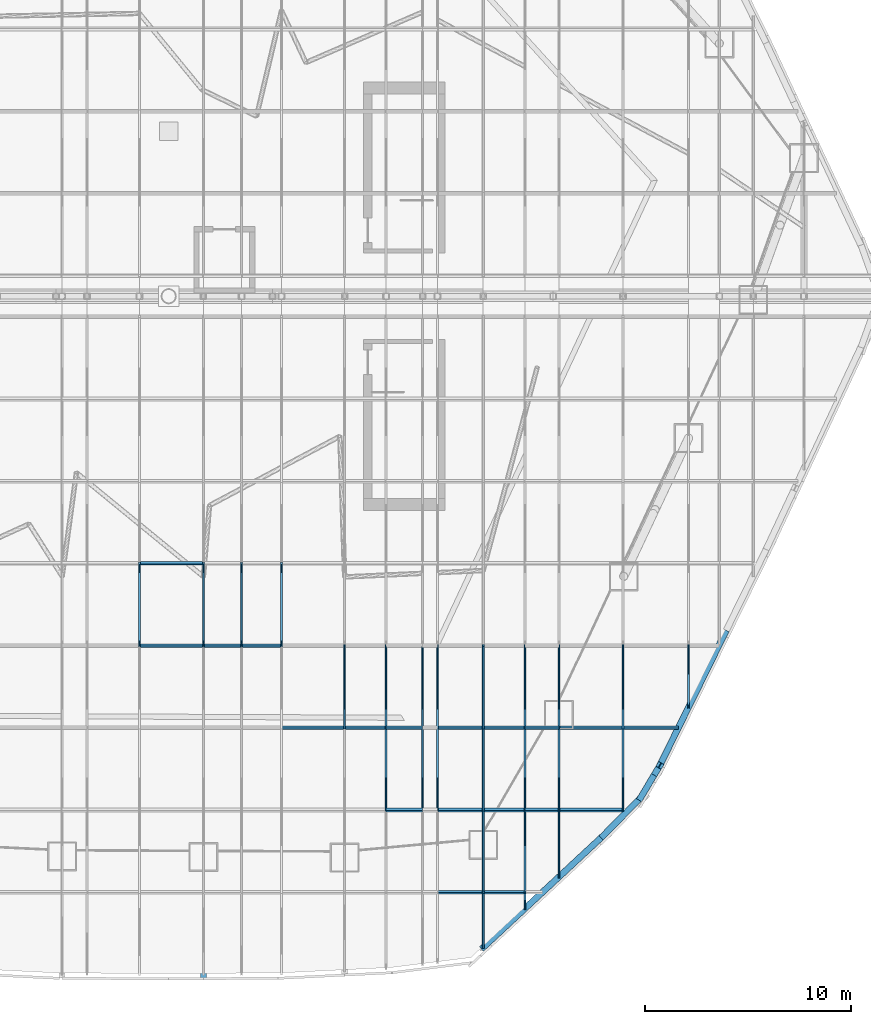
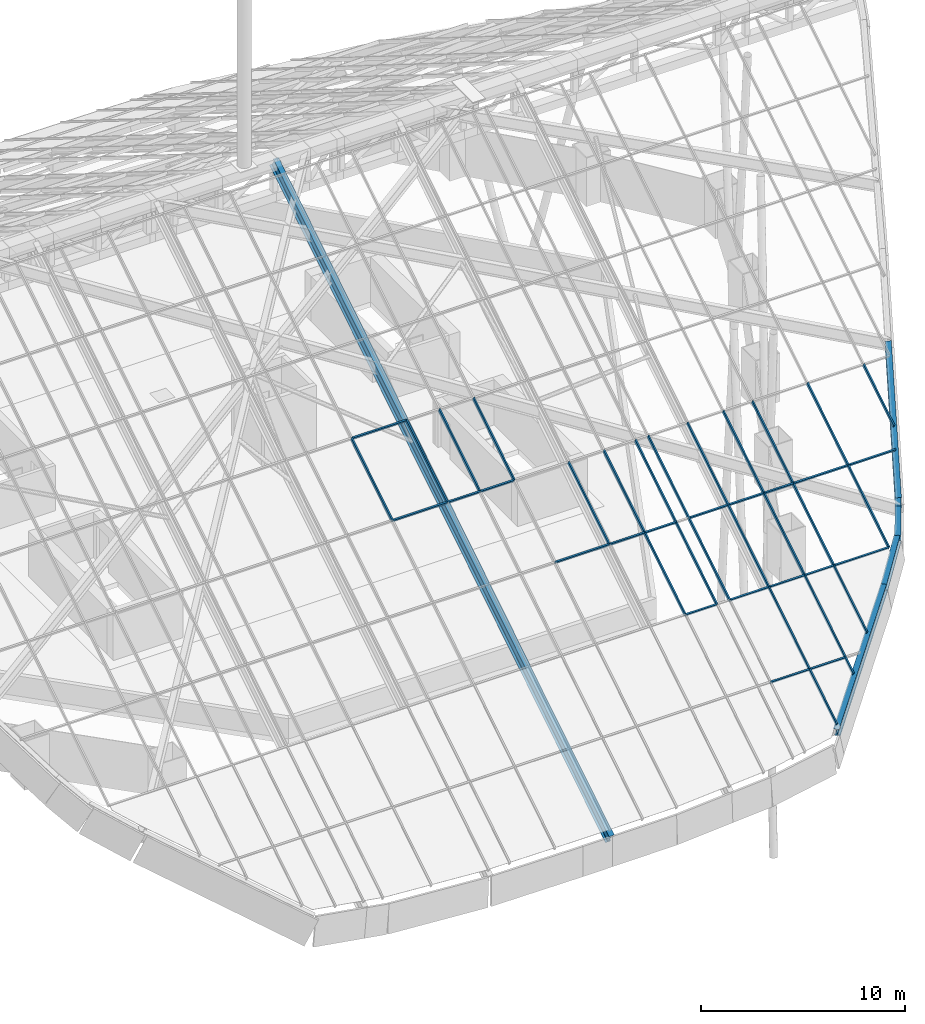
# One storey, part 6 of 38: 50 members, 26 elements without a shape of their own.
"""IFC4 building model written with IfcOpenShell, lengths in metres."""

from ifc_helpers import new_model, si_unit, direction, frame, origin, origin_2d, place, context, subcontext, project, spatial, rectangle, i_section, extrude, material, layer, layer_set, material_profile, profile_set, type_object, element, aggregate, save


model = new_model("IFC4")

# Units and contexts
model_context = context("Model", 3, precision=1e-05, world=origin(), true_north=direction((0.0, 1.0)))
body_context = subcontext(model_context, "Body", "Model", "MODEL_VIEW")
ifc_project = project(units=[si_unit("LENGTHUNIT", "METRE"), si_unit("AREAUNIT", "SQUARE_METRE"), si_unit("VOLUMEUNIT", "CUBIC_METRE"), si_unit("PLANEANGLEUNIT", "RADIAN"), si_unit("MASSUNIT", "GRAM", prefix="KILO")], contexts=[model_context])

# Site, building, storey
site_placement = place(None, origin())
site = spatial("IfcSite", under=ifc_project, at=site_placement, CompositionType="ELEMENT")
building_placement = place(site_placement, origin())
building = spatial("IfcBuilding", under=site, at=building_placement, Name="Dongbaek Canopy Tower", CompositionType="ELEMENT")
storey_placement = place(building_placement, frame((0.0, 0.0, 375.800048828125)))
storey = spatial("IfcBuildingStorey", under=building, at=storey_placement, Name="Roof", CompositionType="ELEMENT", Elevation=375.800048828125)

# Curtain wall, member
ifc_material_1 = material(Name="Aluminium 6063-T6 pale anodised", Category="aluminium")
ifc_layer = layer(ifc_material_1, 0.199951171875)
ifc_layer_set = layer_set([ifc_layer], Name="CW-6 canopy glazing curtain wall")
curtain_wall_type = type_object("IfcCurtainWallType", Name="CW-6 canopy glazing curtain wall", PredefinedType="NOTDEFINED", material=ifc_layer_set)
curtain_wall_1_placement = place(storey_placement, origin())
curtain_wall_1 = element("IfcCurtainWall", 1, at=curtain_wall_1_placement, inside=storey, type_object=curtain_wall_type, Name="CW-6 canopy glazing south 15.4", PredefinedType="NOTDEFINED")
ifc_material_2 = material(Name="Aluminium 6063-T6 pale anodised", Category="aluminium")
ifc_material_profile_1 = material_profile(ifc_material_2, rectangle(XDim=0.080078125, YDim=0.199951171875, at=origin_2d()), Name="CW-6 mullion 80 x 200")
ifc_profile_set_1 = profile_set([ifc_material_profile_1], Name="Aluminium 6063-T6 pale anodised")
member_type_1 = type_object("IfcMemberType", Name="CW-6 mullion 80 x 200", PredefinedType="MULLION", material=ifc_profile_set_1)
member_1_placement = place(storey_placement, frame((-1.41796875, -12.958740234375, 10.626220703125), z_axis=(0.0, -0.848030400431, -0.529947582262), x_axis=(1.0, 0.0, 0.0)))
member_1 = element("IfcMember", 2, at=member_1_placement, type_object=member_type_1, Name="CW-6 mullion S15.4.-1.4", PredefinedType="MULLION", context=body_context, shape_type="SweptSolid", body=[
    extrude(rectangle(XDim=0.080078125, YDim=0.199951171875, at=origin_2d()), origin(), (0.0, 0.0, 1.0), 4.700439453125),
])
aggregate(curtain_wall_1, [member_1])

curtain_wall_2_placement = place(storey_placement, origin())
curtain_wall_2 = element("IfcCurtainWall", 3, at=curtain_wall_2_placement, inside=storey, type_object=curtain_wall_type, Name="CW-6 canopy glazing south 16.4", PredefinedType="NOTDEFINED")
member_2_placement = place(storey_placement, frame((1.68310546875, -12.958740234375, 10.626220703125), z_axis=(0.0, -0.848030400431, -0.529947582262), x_axis=(1.0, 0.0, 0.0)))
member_2 = element("IfcMember", 4, at=member_2_placement, type_object=member_type_1, Name="CW-6 mullion S16.4.1.7", PredefinedType="MULLION", context=body_context, shape_type="SweptSolid", body=[
    extrude(rectangle(XDim=0.080078125, YDim=0.199951171875, at=origin_2d()), origin(), (0.0, 0.0, 1.0), 4.700439453125),
])

curtain_wall_3_placement = place(storey_placement, origin())
curtain_wall_3 = element("IfcCurtainWall", 5, at=curtain_wall_3_placement, inside=storey, type_object=curtain_wall_type, Name="CW-6 canopy glazing south 17.4", PredefinedType="NOTDEFINED")
member_3_placement = place(storey_placement, frame((3.535400390625, -12.958740234375, 10.626220703125), z_axis=(0.0, -0.848030400431, -0.529947582262), x_axis=(1.0, 0.0, 0.0)))
member_3 = element("IfcMember", 6, at=member_3_placement, type_object=member_type_1, Name="CW-6 mullion S17.4.3.5", PredefinedType="MULLION", context=body_context, shape_type="SweptSolid", body=[
    extrude(rectangle(XDim=0.080078125, YDim=0.199951171875, at=origin_2d()), origin(), (0.0, 0.0, 1.0), 4.700439453125),
])

curtain_wall_4_placement = place(storey_placement, origin())
curtain_wall_4 = element("IfcCurtainWall", 7, at=curtain_wall_4_placement, inside=storey, type_object=curtain_wall_type, Name="CW-6 canopy glazing south 18.4", PredefinedType="NOTDEFINED")
member_4_placement = place(storey_placement, frame((5.470947265625, -12.958740234375, 10.626220703125), z_axis=(0.0, -0.848030400431, -0.529947582262), x_axis=(1.0, 0.0, 0.0)))
member_4 = element("IfcMember", 8, at=member_4_placement, type_object=member_type_1, Name="CW-6 mullion S18.4.5.5", PredefinedType="MULLION", context=body_context, shape_type="SweptSolid", body=[
    extrude(rectangle(XDim=0.080078125, YDim=0.199951171875, at=origin_2d()), origin(), (0.0, 0.0, 1.0), 4.700439453125),
])

curtain_wall_5_placement = place(storey_placement, origin())
curtain_wall_5 = element("IfcCurtainWall", 9, at=curtain_wall_5_placement, inside=storey, type_object=curtain_wall_type, Name="CW-6 canopy glazing south 19.5", PredefinedType="NOTDEFINED")
member_5_placement = place(storey_placement, frame((8.533935546875, -16.94482421875, 8.13525390625), z_axis=(0.0, -0.848068327403, -0.529886886095), x_axis=(1.0, 0.0, 0.0)))
member_5 = element("IfcMember", 10, at=member_5_placement, type_object=member_type_1, Name="CW-6 mullion S19.5.8.5", PredefinedType="MULLION", context=body_context, shape_type="SweptSolid", body=[
    extrude(rectangle(XDim=0.080078125, YDim=0.199951171875, at=origin_2d()), origin(), (0.0, 0.0, 1.0), 4.700439453125),
])

curtain_wall_6_placement = place(storey_placement, origin())
curtain_wall_6 = element("IfcCurtainWall", 11, at=curtain_wall_6_placement, inside=storey, type_object=curtain_wall_type, Name="CW-6 canopy glazing south 20.5", PredefinedType="NOTDEFINED")
member_6_placement = place(storey_placement, frame((10.535400390625, -16.94482421875, 8.13525390625), z_axis=(0.0, -0.848068327403, -0.529886886095), x_axis=(1.0, 0.0, 0.0)))
member_6 = element("IfcMember", 12, at=member_6_placement, type_object=member_type_1, Name="CW-6 mullion S20.5.10.5", PredefinedType="MULLION", context=body_context, shape_type="SweptSolid", body=[
    extrude(rectangle(XDim=0.080078125, YDim=0.199951171875, at=origin_2d()), origin(), (0.0, 0.0, 1.0), 4.700439453125),
])

curtain_wall_7_placement = place(storey_placement, origin())
curtain_wall_7 = element("IfcCurtainWall", 13, at=curtain_wall_7_placement, inside=storey, type_object=curtain_wall_type, Name="CW-6 canopy glazing south 20.6", PredefinedType="NOTDEFINED")
member_7_placement = place(storey_placement, frame((10.535400390625, -20.93115234375, 5.64453125), z_axis=(0.0, -0.848030400431, -0.529947582262), x_axis=(1.0, 0.0, 0.0)))
member_7 = element("IfcMember", 14, at=member_7_placement, type_object=member_type_1, Name="CW-6 mullion S20.6.10.5", PredefinedType="MULLION", context=body_context, shape_type="SweptSolid", body=[
    extrude(rectangle(XDim=0.080078125, YDim=0.199951171875, at=origin_2d()), origin(), (0.0, 0.0, 1.0), 4.700439453125),
])
aggregate(curtain_wall_7, [member_7])

curtain_wall_8_placement = place(storey_placement, origin())
curtain_wall_8 = element("IfcCurtainWall", 15, at=curtain_wall_8_placement, inside=storey, type_object=curtain_wall_type, Name="CW-6 canopy glazing south 21.5", PredefinedType="NOTDEFINED")
member_8_placement = place(storey_placement, frame((12.31396484375, -16.94482421875, 8.13525390625), z_axis=(0.0, -0.848068327403, -0.529886886095), x_axis=(1.0, 0.0, 0.0)))
member_8 = element("IfcMember", 16, at=member_8_placement, type_object=member_type_1, Name="CW-6 mullion S21.5.12.3", PredefinedType="MULLION", context=body_context, shape_type="SweptSolid", body=[
    extrude(rectangle(XDim=0.080078125, YDim=0.199951171875, at=origin_2d()), origin(), (0.0, 0.0, 1.0), 4.700439453125),
])

curtain_wall_9_placement = place(storey_placement, origin())
curtain_wall_9 = element("IfcCurtainWall", 17, at=curtain_wall_9_placement, inside=storey, type_object=curtain_wall_type, Name="CW-6 canopy glazing south 21.6", PredefinedType="NOTDEFINED")
member_9_placement = place(storey_placement, frame((12.31396484375, -20.93115234375, 5.64453125), z_axis=(0.0, -0.848030400431, -0.529947582262), x_axis=(1.0, 0.0, 0.0)))
member_9 = element("IfcMember", 18, at=member_9_placement, type_object=member_type_1, Name="CW-6 mullion S21.6.12.3", PredefinedType="MULLION", context=body_context, shape_type="SweptSolid", body=[
    extrude(rectangle(XDim=0.080078125, YDim=0.199951171875, at=origin_2d()), origin(), (0.0, 0.0, 1.0), 4.700439453125),
])

curtain_wall_10_placement = place(storey_placement, origin())
curtain_wall_10 = element("IfcCurtainWall", 19, at=curtain_wall_10_placement, inside=storey, type_object=curtain_wall_type, Name="CW-6 canopy glazing south 22.5", PredefinedType="NOTDEFINED")
member_10_placement = place(storey_placement, frame((13.035400390625, -16.94482421875, 8.13525390625), z_axis=(0.0, -0.848068327403, -0.529886886095), x_axis=(1.0, 0.0, 0.0)))
member_10 = element("IfcMember", 20, at=member_10_placement, type_object=member_type_1, Name="CW-6 mullion S22.5.13.0", PredefinedType="MULLION", context=body_context, shape_type="SweptSolid", body=[
    extrude(rectangle(XDim=0.080078125, YDim=0.199951171875, at=origin_2d()), origin(), (0.0, 0.0, 1.0), 4.700439453125),
])
aggregate(curtain_wall_10, [member_10])

curtain_wall_11_placement = place(storey_placement, origin())
curtain_wall_11 = element("IfcCurtainWall", 21, at=curtain_wall_11_placement, inside=storey, type_object=curtain_wall_type, Name="CW-6 canopy glazing south 22.6", PredefinedType="NOTDEFINED")
member_11_placement = place(storey_placement, frame((13.035400390625, -20.93115234375, 5.64453125), z_axis=(0.0, -0.848030400431, -0.529947582262), x_axis=(1.0, 0.0, 0.0)))
member_11 = element("IfcMember", 22, at=member_11_placement, type_object=member_type_1, Name="CW-6 mullion S22.6.13.0", PredefinedType="MULLION", context=body_context, shape_type="SweptSolid", body=[
    extrude(rectangle(XDim=0.080078125, YDim=0.199951171875, at=origin_2d()), origin(), (0.0, 0.0, 1.0), 4.700439453125),
])
aggregate(curtain_wall_11, [member_11])

curtain_wall_12_placement = place(storey_placement, origin())
curtain_wall_12 = element("IfcCurtainWall", 23, at=curtain_wall_12_placement, inside=storey, type_object=curtain_wall_type, Name="CW-6 canopy glazing south 23.5", PredefinedType="NOTDEFINED")
member_12_placement = place(storey_placement, frame((15.251953125, -16.94482421875, 8.13525390625), z_axis=(0.0, -0.848068327403, -0.529886886095), x_axis=(1.0, 0.0, 0.0)))
member_12 = element("IfcMember", 24, at=member_12_placement, type_object=member_type_1, Name="CW-6 mullion S23.5.15.3", PredefinedType="MULLION", context=body_context, shape_type="SweptSolid", body=[
    extrude(rectangle(XDim=0.080078125, YDim=0.199951171875, at=origin_2d()), origin(), (0.0, 0.0, 1.0), 4.700439453125),
])

curtain_wall_13_placement = place(storey_placement, origin())
curtain_wall_13 = element("IfcCurtainWall", 25, at=curtain_wall_13_placement, inside=storey, type_object=curtain_wall_type, Name="CW-6 canopy glazing south 23.6", PredefinedType="NOTDEFINED")
member_13_placement = place(storey_placement, frame((15.251953125, -20.93115234375, 5.64453125), z_axis=(0.0, -0.848030400431, -0.529947582262), x_axis=(1.0, 0.0, 0.0)))
member_13 = element("IfcMember", 26, at=member_13_placement, type_object=member_type_1, Name="CW-6 mullion S23.6.15.3", PredefinedType="MULLION", context=body_context, shape_type="SweptSolid", body=[
    extrude(rectangle(XDim=0.080078125, YDim=0.199951171875, at=origin_2d()), origin(), (0.0, 0.0, 1.0), 4.700439453125),
])

curtain_wall_14_placement = place(storey_placement, origin())
curtain_wall_14 = element("IfcCurtainWall", 27, at=curtain_wall_14_placement, inside=storey, type_object=curtain_wall_type, Name="CW-6 canopy glazing south 23.7", PredefinedType="NOTDEFINED")
member_14_placement = place(storey_placement, frame((15.251953125, -24.917236328125, 3.153564453125), z_axis=(0.0, -0.848068327403, -0.529886886095), x_axis=(1.0, 0.0, 0.0)))
member_14 = element("IfcMember", 28, at=member_14_placement, type_object=member_type_1, Name="CW-6 mullion S23.7.15.3", PredefinedType="MULLION", context=body_context, shape_type="SweptSolid", body=[
    extrude(rectangle(XDim=0.080078125, YDim=0.199951171875, at=origin_2d()), origin(), (0.0, 0.0, 1.0), 4.700439453125),
])

curtain_wall_15_placement = place(storey_placement, origin())
curtain_wall_15 = element("IfcCurtainWall", 29, at=curtain_wall_15_placement, inside=storey, type_object=curtain_wall_type, Name="CW-6 canopy glazing south 23.8", PredefinedType="NOTDEFINED")
member_15_placement = place(storey_placement, frame((15.251953125, -28.903564453125, 0.662841796875), z_axis=(0.0, -0.84803746353, -0.529936279612), x_axis=(1.0, 0.0, 0.0)))
member_15 = element("IfcMember", 30, at=member_15_placement, type_object=member_type_1, Name="CW-6 mullion S23.8.15.3", PredefinedType="MULLION", context=body_context, shape_type="SweptSolid", body=[
    extrude(rectangle(XDim=0.080078125, YDim=0.199951171875, at=origin_2d()), origin(), (0.0, 0.0, 1.0), 3.152099609375),
])
aggregate(curtain_wall_15, [member_15])

curtain_wall_16_placement = place(storey_placement, origin())
curtain_wall_16 = element("IfcCurtainWall", 31, at=curtain_wall_16_placement, inside=storey, type_object=curtain_wall_type, Name="CW-6 canopy glazing south 24.5", PredefinedType="NOTDEFINED")
member_16_placement = place(storey_placement, frame((17.27587890625, -16.94482421875, 8.13525390625), z_axis=(0.0, -0.848068327403, -0.529886886095), x_axis=(1.0, 0.0, 0.0)))
member_16 = element("IfcMember", 32, at=member_16_placement, type_object=member_type_1, Name="CW-6 mullion S24.5.17.3", PredefinedType="MULLION", context=body_context, shape_type="SweptSolid", body=[
    extrude(rectangle(XDim=0.080078125, YDim=0.199951171875, at=origin_2d()), origin(), (0.0, 0.0, 1.0), 4.700439453125),
])

curtain_wall_17_placement = place(storey_placement, origin())
curtain_wall_17 = element("IfcCurtainWall", 33, at=curtain_wall_17_placement, inside=storey, type_object=curtain_wall_type, Name="CW-6 canopy glazing south 24.6", PredefinedType="NOTDEFINED")
member_17_placement = place(storey_placement, frame((17.27587890625, -20.93115234375, 5.64453125), z_axis=(0.0, -0.848030400431, -0.529947582262), x_axis=(1.0, 0.0, 0.0)))
member_17 = element("IfcMember", 34, at=member_17_placement, type_object=member_type_1, Name="CW-6 mullion S24.6.17.3", PredefinedType="MULLION", context=body_context, shape_type="SweptSolid", body=[
    extrude(rectangle(XDim=0.080078125, YDim=0.199951171875, at=origin_2d()), origin(), (0.0, 0.0, 1.0), 4.700439453125),
])

curtain_wall_18_placement = place(storey_placement, origin())
curtain_wall_18 = element("IfcCurtainWall", 35, at=curtain_wall_18_placement, inside=storey, type_object=curtain_wall_type, Name="CW-6 canopy glazing south 24.7", PredefinedType="NOTDEFINED")
member_18_placement = place(storey_placement, frame((17.27587890625, -24.917236328125, 3.153564453125), z_axis=(0.0, -0.848068327403, -0.529886886095), x_axis=(1.0, 0.0, 0.0)))
member_18 = element("IfcMember", 36, at=member_18_placement, type_object=member_type_1, Name="CW-6 mullion S24.7.17.3", PredefinedType="MULLION", context=body_context, shape_type="SweptSolid", body=[
    extrude(rectangle(XDim=0.080078125, YDim=0.199951171875, at=origin_2d()), origin(), (0.0, 0.0, 1.0), 4.700439453125),
])

curtain_wall_19_placement = place(storey_placement, origin())
curtain_wall_19 = element("IfcCurtainWall", 37, at=curtain_wall_19_placement, inside=storey, type_object=curtain_wall_type, Name="CW-6 canopy glazing south 24.8", PredefinedType="NOTDEFINED")
member_19_placement = place(storey_placement, frame((17.27587890625, -28.903564453125, 0.662841796875), z_axis=(0.0, -0.847924760458, -0.530116591518), x_axis=(1.0, 0.0, 0.0)))
member_19 = element("IfcMember", 38, at=member_19_placement, type_object=member_type_1, Name="CW-6 mullion S24.8.17.3", PredefinedType="MULLION", context=body_context, shape_type="SweptSolid", body=[
    extrude(rectangle(XDim=0.080078125, YDim=0.199951171875, at=origin_2d()), origin(), (0.0, 0.0, 1.0), 0.9326171875),
])
aggregate(curtain_wall_19, [member_19])

curtain_wall_20_placement = place(storey_placement, origin())
curtain_wall_20 = element("IfcCurtainWall", 39, at=curtain_wall_20_placement, inside=storey, type_object=curtain_wall_type, Name="CW-6 canopy glazing south 25.5", PredefinedType="NOTDEFINED")
member_20_placement = place(storey_placement, frame((18.925048828125, -16.94482421875, 8.13525390625), z_axis=(0.0, -0.848068327403, -0.529886886095), x_axis=(1.0, 0.0, 0.0)))
member_20 = element("IfcMember", 40, at=member_20_placement, type_object=member_type_1, Name="CW-6 mullion S25.5.18.9", PredefinedType="MULLION", context=body_context, shape_type="SweptSolid", body=[
    extrude(rectangle(XDim=0.080078125, YDim=0.199951171875, at=origin_2d()), origin(), (0.0, 0.0, 1.0), 4.700439453125),
])

curtain_wall_21_placement = place(storey_placement, origin())
curtain_wall_21 = element("IfcCurtainWall", 41, at=curtain_wall_21_placement, inside=storey, type_object=curtain_wall_type, Name="CW-6 canopy glazing south 25.6", PredefinedType="NOTDEFINED")
member_21_placement = place(storey_placement, frame((18.925048828125, -20.93115234375, 5.64453125), z_axis=(0.0, -0.848030400431, -0.529947582262), x_axis=(1.0, 0.0, 0.0)))
member_21 = element("IfcMember", 42, at=member_21_placement, type_object=member_type_1, Name="CW-6 mullion S25.6.18.9", PredefinedType="MULLION", context=body_context, shape_type="SweptSolid", body=[
    extrude(rectangle(XDim=0.080078125, YDim=0.199951171875, at=origin_2d()), origin(), (0.0, 0.0, 1.0), 4.700439453125),
])

curtain_wall_22_placement = place(storey_placement, origin())
curtain_wall_22 = element("IfcCurtainWall", 43, at=curtain_wall_22_placement, inside=storey, type_object=curtain_wall_type, Name="CW-6 canopy glazing south 25.7", PredefinedType="NOTDEFINED")
member_22_placement = place(storey_placement, frame((18.925048828125, -24.917236328125, 3.153564453125), z_axis=(0.0, -0.848048503756, -0.529918611936), x_axis=(1.0, 0.0, 0.0)))
member_22 = element("IfcMember", 44, at=member_22_placement, type_object=member_type_1, Name="CW-6 mullion S25.7.18.9", PredefinedType="MULLION", context=body_context, shape_type="SweptSolid", body=[
    extrude(rectangle(XDim=0.080078125, YDim=0.199951171875, at=origin_2d()), origin(), (0.0, 0.0, 1.0), 3.824951171875),
])
aggregate(curtain_wall_22, [member_22])

curtain_wall_23_placement = place(storey_placement, origin())
curtain_wall_23 = element("IfcCurtainWall", 45, at=curtain_wall_23_placement, inside=storey, type_object=curtain_wall_type, Name="CW-6 canopy glazing south 26.5", PredefinedType="NOTDEFINED")
member_23_placement = place(storey_placement, frame((22.035400390625, -16.94482421875, 8.13525390625), z_axis=(0.0, -0.848068327403, -0.529886886095), x_axis=(1.0, 0.0, 0.0)))
member_23 = element("IfcMember", 46, at=member_23_placement, type_object=member_type_1, Name="CW-6 mullion S26.5.22.0", PredefinedType="MULLION", context=body_context, shape_type="SweptSolid", body=[
    extrude(rectangle(XDim=0.080078125, YDim=0.199951171875, at=origin_2d()), origin(), (0.0, 0.0, 1.0), 4.700439453125),
])

curtain_wall_24_placement = place(storey_placement, origin())
curtain_wall_24 = element("IfcCurtainWall", 47, at=curtain_wall_24_placement, inside=storey, type_object=curtain_wall_type, Name="CW-6 canopy glazing south 26.6", PredefinedType="NOTDEFINED")
member_24_placement = place(storey_placement, frame((22.035400390625, -20.93115234375, 5.64453125), z_axis=(0.0, -0.848030400431, -0.529947582262), x_axis=(1.0, 0.0, 0.0)))
member_24 = element("IfcMember", 48, at=member_24_placement, type_object=member_type_1, Name="CW-6 mullion S26.6.22.0", PredefinedType="MULLION", context=body_context, shape_type="SweptSolid", body=[
    extrude(rectangle(XDim=0.080078125, YDim=0.199951171875, at=origin_2d()), origin(), (0.0, 0.0, 1.0), 4.700439453125),
])

curtain_wall_25_placement = place(storey_placement, origin())
curtain_wall_25 = element("IfcCurtainWall", 49, at=curtain_wall_25_placement, inside=storey, type_object=curtain_wall_type, Name="CW-6 canopy glazing south 27.5", PredefinedType="NOTDEFINED")
member_25_placement = place(storey_placement, frame((25.2099609375, -16.94482421875, 8.13525390625), z_axis=(0.0, -0.848072405074, -0.529880359847), x_axis=(1.0, 0.0, 0.0)))
member_25 = element("IfcMember", 50, at=member_25_placement, type_object=member_type_1, Name="CW-6 mullion S27.5.25.2", PredefinedType="MULLION", context=body_context, shape_type="SweptSolid", body=[
    extrude(rectangle(XDim=0.080078125, YDim=0.199951171875, at=origin_2d()), origin(), (0.0, 0.0, 1.0), 3.516357421875),
])

curtain_wall_26_placement = place(storey_placement, origin())
curtain_wall_26 = element("IfcCurtainWall", 51, at=curtain_wall_26_placement, inside=storey, type_object=curtain_wall_type, Name="CW-6 canopy glazing south 16.3", PredefinedType="NOTDEFINED")
ifc_material_3 = material(Name="Aluminium 6063-T6 pale anodised", Category="aluminium")
ifc_material_profile_2 = material_profile(ifc_material_3, rectangle(XDim=0.080078125, YDim=0.199951171875, at=origin_2d()), Name="CW-6 transom 80 x 200")
ifc_profile_set_2 = profile_set([ifc_material_profile_2], Name="Aluminium 6063-T6 pale anodised")
member_type_2 = type_object("IfcMemberType", Name="CW-6 transom 80 x 200", PredefinedType="USERDEFINED", material=ifc_profile_set_2)
member_26_placement = place(storey_placement, frame((-1.41796875, -12.958740234375, 10.626220703125), z_axis=(1.0, 0.0, 0.0), x_axis=(0.0, 0.848048096156, 0.529919264233)))
member_26 = element("IfcMember", 52, at=member_26_placement, type_object=member_type_2, Name="CW-6 transom S16.3.4", ObjectType="TRANSOM", PredefinedType="USERDEFINED", context=body_context, shape_type="SweptSolid", body=[
    extrude(rectangle(XDim=0.080078125, YDim=0.199951171875, at=origin_2d()), origin(), (0.0, 0.0, 1.0), 3.10107421875),
])
aggregate(curtain_wall_26, [member_26])

# Member
member_27_placement = place(storey_placement, frame((-1.41796875, -16.94482421875, 8.13525390625), z_axis=(1.0, 0.0, 0.0), x_axis=(0.0, 0.848048096156, 0.529919264233)))
member_27 = element("IfcMember", 53, at=member_27_placement, type_object=member_type_2, Name="CW-6 transom S16.4.5", ObjectType="TRANSOM", PredefinedType="USERDEFINED", context=body_context, shape_type="SweptSolid", body=[
    extrude(rectangle(XDim=0.080078125, YDim=0.199951171875, at=origin_2d()), origin(), (0.0, 0.0, 1.0), 3.10107421875),
])

aggregate(curtain_wall_2, [member_2, member_27])

member_28_placement = place(storey_placement, frame((1.68310546875, -16.94482421875, 8.13525390625), z_axis=(1.0, 0.0, 0.0), x_axis=(0.0, 0.848048096156, 0.529919264233)))
member_28 = element("IfcMember", 54, at=member_28_placement, type_object=member_type_2, Name="CW-6 transom S17.4.5", ObjectType="TRANSOM", PredefinedType="USERDEFINED", context=body_context, shape_type="SweptSolid", body=[
    extrude(rectangle(XDim=0.080078125, YDim=0.199951171875, at=origin_2d()), origin(), (0.0, 0.0, 1.0), 1.852294921875),
])

aggregate(curtain_wall_3, [member_3, member_28])

member_29_placement = place(storey_placement, frame((3.535400390625, -16.94482421875, 8.13525390625), z_axis=(1.0, 0.0, 0.0), x_axis=(0.0, 0.848048096156, 0.529919264233)))
member_29 = element("IfcMember", 55, at=member_29_placement, type_object=member_type_2, Name="CW-6 transom S18.4.5", ObjectType="TRANSOM", PredefinedType="USERDEFINED", context=body_context, shape_type="SweptSolid", body=[
    extrude(rectangle(XDim=0.080078125, YDim=0.199951171875, at=origin_2d()), origin(), (0.0, 0.0, 1.0), 1.935546875),
])

aggregate(curtain_wall_4, [member_4, member_29])

member_30_placement = place(storey_placement, frame((5.470947265625, -20.93115234375, 5.64453125), z_axis=(1.0, 0.0, 0.0), x_axis=(0.0, 0.848048096156, 0.529919264233)))
member_30 = element("IfcMember", 56, at=member_30_placement, type_object=member_type_2, Name="CW-6 transom S19.5.6", ObjectType="TRANSOM", PredefinedType="USERDEFINED", context=body_context, shape_type="SweptSolid", body=[
    extrude(rectangle(XDim=0.080078125, YDim=0.199951171875, at=origin_2d()), origin(), (0.0, 0.0, 1.0), 3.06298828125),
])

aggregate(curtain_wall_5, [member_5, member_30])

member_31_placement = place(storey_placement, frame((8.533935546875, -20.93115234375, 5.64453125), z_axis=(1.0, 0.0, 0.0), x_axis=(0.0, 0.848048096156, 0.529919264233)))
member_31 = element("IfcMember", 57, at=member_31_placement, type_object=member_type_2, Name="CW-6 transom S20.5.6", ObjectType="TRANSOM", PredefinedType="USERDEFINED", context=body_context, shape_type="SweptSolid", body=[
    extrude(rectangle(XDim=0.080078125, YDim=0.199951171875, at=origin_2d()), origin(), (0.0, 0.0, 1.0), 2.00146484375),
])

aggregate(curtain_wall_6, [member_6, member_31])

member_32_placement = place(storey_placement, frame((10.535400390625, -20.93115234375, 5.64453125), z_axis=(1.0, 0.0, 0.0), x_axis=(0.0, 0.848048096156, 0.529919264233)))
member_32 = element("IfcMember", 58, at=member_32_placement, type_object=member_type_2, Name="CW-6 transom S21.5.6", ObjectType="TRANSOM", PredefinedType="USERDEFINED", context=body_context, shape_type="SweptSolid", body=[
    extrude(rectangle(XDim=0.080078125, YDim=0.199951171875, at=origin_2d()), origin(), (0.0, 0.0, 1.0), 1.778564453125),
])

aggregate(curtain_wall_8, [member_8, member_32])

member_33_placement = place(storey_placement, frame((10.535400390625, -24.917236328125, 3.153564453125), z_axis=(1.0, 0.0, 0.0), x_axis=(0.0, 0.848048096156, 0.529919264233)))
member_33 = element("IfcMember", 59, at=member_33_placement, type_object=member_type_2, Name="CW-6 transom S21.6.7", ObjectType="TRANSOM", PredefinedType="USERDEFINED", context=body_context, shape_type="SweptSolid", body=[
    extrude(rectangle(XDim=0.080078125, YDim=0.199951171875, at=origin_2d()), origin(), (0.0, 0.0, 1.0), 1.778564453125),
])

aggregate(curtain_wall_9, [member_9, member_33])

member_34_placement = place(storey_placement, frame((13.035400390625, -20.93115234375, 5.64453125), z_axis=(1.0, 0.0, 0.0), x_axis=(0.0, 0.848048096156, 0.529919264233)))
member_34 = element("IfcMember", 60, at=member_34_placement, type_object=member_type_2, Name="CW-6 transom S23.5.6", ObjectType="TRANSOM", PredefinedType="USERDEFINED", context=body_context, shape_type="SweptSolid", body=[
    extrude(rectangle(XDim=0.080078125, YDim=0.199951171875, at=origin_2d()), origin(), (0.0, 0.0, 1.0), 2.216552734375),
])

aggregate(curtain_wall_12, [member_12, member_34])

member_35_placement = place(storey_placement, frame((13.035400390625, -24.917236328125, 3.153564453125), z_axis=(1.0, 0.0, 0.0), x_axis=(0.0, 0.848048096156, 0.529919264233)))
member_35 = element("IfcMember", 61, at=member_35_placement, type_object=member_type_2, Name="CW-6 transom S23.6.7", ObjectType="TRANSOM", PredefinedType="USERDEFINED", context=body_context, shape_type="SweptSolid", body=[
    extrude(rectangle(XDim=0.080078125, YDim=0.199951171875, at=origin_2d()), origin(), (0.0, 0.0, 1.0), 2.216552734375),
])

aggregate(curtain_wall_13, [member_13, member_35])

member_36_placement = place(storey_placement, frame((13.035400390625, -28.903564453125, 0.662841796875), z_axis=(1.0, 0.0, 0.0), x_axis=(0.0, 0.848048096156, 0.529919264233)))
member_36 = element("IfcMember", 62, at=member_36_placement, type_object=member_type_2, Name="CW-6 transom S23.7.8", ObjectType="TRANSOM", PredefinedType="USERDEFINED", context=body_context, shape_type="SweptSolid", body=[
    extrude(rectangle(XDim=0.080078125, YDim=0.199951171875, at=origin_2d()), origin(), (0.0, 0.0, 1.0), 2.216552734375),
])

aggregate(curtain_wall_14, [member_14, member_36])

member_37_placement = place(storey_placement, frame((15.251953125, -20.93115234375, 5.64453125), z_axis=(1.0, 0.0, 0.0), x_axis=(0.0, 0.848048096156, 0.529919264233)))
member_37 = element("IfcMember", 63, at=member_37_placement, type_object=member_type_2, Name="CW-6 transom S24.5.6", ObjectType="TRANSOM", PredefinedType="USERDEFINED", context=body_context, shape_type="SweptSolid", body=[
    extrude(rectangle(XDim=0.080078125, YDim=0.199951171875, at=origin_2d()), origin(), (0.0, 0.0, 1.0), 2.02392578125),
])

aggregate(curtain_wall_16, [member_16, member_37])

member_38_placement = place(storey_placement, frame((15.251953125, -24.917236328125, 3.153564453125), z_axis=(1.0, 0.0, 0.0), x_axis=(0.0, 0.848048096156, 0.529919264233)))
member_38 = element("IfcMember", 64, at=member_38_placement, type_object=member_type_2, Name="CW-6 transom S24.6.7", ObjectType="TRANSOM", PredefinedType="USERDEFINED", context=body_context, shape_type="SweptSolid", body=[
    extrude(rectangle(XDim=0.080078125, YDim=0.199951171875, at=origin_2d()), origin(), (0.0, 0.0, 1.0), 2.02392578125),
])

aggregate(curtain_wall_17, [member_17, member_38])

member_39_placement = place(storey_placement, frame((15.251953125, -28.903564453125, 0.662841796875), z_axis=(1.0, 0.0, 0.0), x_axis=(0.0, 0.848048096156, 0.529919264233)))
member_39 = element("IfcMember", 65, at=member_39_placement, type_object=member_type_2, Name="CW-6 transom S24.7.8", ObjectType="TRANSOM", PredefinedType="USERDEFINED", context=body_context, shape_type="SweptSolid", body=[
    extrude(rectangle(XDim=0.080078125, YDim=0.199951171875, at=origin_2d()), origin(), (0.0, 0.0, 1.0), 2.02392578125),
])

aggregate(curtain_wall_18, [member_18, member_39])

member_40_placement = place(storey_placement, frame((17.27587890625, -20.93115234375, 5.64453125), z_axis=(1.0, 0.0, 0.0), x_axis=(0.0, 0.848048096156, 0.529919264233)))
member_40 = element("IfcMember", 66, at=member_40_placement, type_object=member_type_2, Name="CW-6 transom S25.5.6", ObjectType="TRANSOM", PredefinedType="USERDEFINED", context=body_context, shape_type="SweptSolid", body=[
    extrude(rectangle(XDim=0.080078125, YDim=0.199951171875, at=origin_2d()), origin(), (0.0, 0.0, 1.0), 1.649169921875),
])

aggregate(curtain_wall_20, [member_20, member_40])

member_41_placement = place(storey_placement, frame((17.27587890625, -24.917236328125, 3.153564453125), z_axis=(1.0, 0.0, 0.0), x_axis=(0.0, 0.848048096156, 0.529919264233)))
member_41 = element("IfcMember", 67, at=member_41_placement, type_object=member_type_2, Name="CW-6 transom S25.6.7", ObjectType="TRANSOM", PredefinedType="USERDEFINED", context=body_context, shape_type="SweptSolid", body=[
    extrude(rectangle(XDim=0.080078125, YDim=0.199951171875, at=origin_2d()), origin(), (0.0, 0.0, 1.0), 1.649169921875),
])

aggregate(curtain_wall_21, [member_21, member_41])

member_42_placement = place(storey_placement, frame((18.925048828125, -20.93115234375, 5.64453125), z_axis=(1.0, 0.0, 0.0), x_axis=(0.0, 0.848048096156, 0.529919264233)))
member_42 = element("IfcMember", 68, at=member_42_placement, type_object=member_type_2, Name="CW-6 transom S26.5.6", ObjectType="TRANSOM", PredefinedType="USERDEFINED", context=body_context, shape_type="SweptSolid", body=[
    extrude(rectangle(XDim=0.080078125, YDim=0.199951171875, at=origin_2d()), origin(), (0.0, 0.0, 1.0), 3.1103515625),
])

aggregate(curtain_wall_23, [member_23, member_42])

member_43_placement = place(storey_placement, frame((18.925048828125, -24.917236328125, 3.153564453125), z_axis=(1.0, 0.0, 0.0), x_axis=(0.0, 0.848048096156, 0.529919264233)))
member_43 = element("IfcMember", 69, at=member_43_placement, type_object=member_type_2, Name="CW-6 transom S26.6.7", ObjectType="TRANSOM", PredefinedType="USERDEFINED", context=body_context, shape_type="SweptSolid", body=[
    extrude(rectangle(XDim=0.080078125, YDim=0.199951171875, at=origin_2d()), origin(), (0.0, 0.0, 1.0), 3.1103515625),
])

aggregate(curtain_wall_24, [member_24, member_43])

member_44_placement = place(storey_placement, frame((22.035400390625, -20.93115234375, 5.64453125), z_axis=(1.0, 0.0, 0.0), x_axis=(0.0, 0.848048096156, 0.529919264233)))
member_44 = element("IfcMember", 70, at=member_44_placement, type_object=member_type_2, Name="CW-6 transom S27.5.6", ObjectType="TRANSOM", PredefinedType="USERDEFINED", context=body_context, shape_type="SweptSolid", body=[
    extrude(rectangle(XDim=0.080078125, YDim=0.199951171875, at=origin_2d()), origin(), (0.0, 0.0, 1.0), 2.6806640625),
])

aggregate(curtain_wall_25, [member_25, member_44])

# Members
ifc_material_4 = material(Name="Steel S355", Category="steel")
ifc_material_profile_3 = material_profile(ifc_material_4, i_section(OverallWidth=0.300048828125, OverallDepth=0.587890625, WebThickness=0.011962890625, FlangeThickness=0.02001953125, FilletRadius=0.028076171875, at=origin_2d()), Name="EAVES BEAM H 588x300x12x20 Steel S355")
ifc_profile_set_3 = profile_set([ifc_material_profile_3], Name="Steel S355")
member_type_3 = type_object("IfcMemberType", Name="EAVES BEAM H 588x300x12x20 Steel S355", PredefinedType="MEMBER", material=ifc_profile_set_3)
member_45_placement = place(storey_placement, frame((15.251953125, -31.57666015625, -1.4794921875), z_axis=(0.673822725438, 0.62661347944, 0.391559040334), x_axis=(-0.680988367008, 0.732294233215, 0.0)))
element("IfcMember", 71, at=member_45_placement, inside=storey, type_object=member_type_3, Name="EAVE:21", PredefinedType="MEMBER", context=body_context, shape_type="SweptSolid", body=[
    extrude(i_section(OverallWidth=0.300048828125, OverallDepth=0.587890625, WebThickness=0.011962890625, FlangeThickness=0.02001953125, FilletRadius=0.028076171875, at=origin_2d()), origin(), (0.0, 0.0, 1.0), 8.61572265625),
])
member_46_placement = place(storey_placement, frame((21.057373046875, -26.177978515625, 1.89404296875), z_axis=(0.641050518342, 0.650890455556, 0.406688883299), x_axis=(-0.712471723396, 0.701700821833, 0.0)))
element("IfcMember", 72, at=member_46_placement, inside=storey, type_object=member_type_3, Name="EAVE:22", PredefinedType="MEMBER", context=body_context, shape_type="SweptSolid", body=[
    extrude(i_section(OverallWidth=0.300048828125, OverallDepth=0.587890625, WebThickness=0.011962890625, FlangeThickness=0.02001953125, FilletRadius=0.028076171875, at=origin_2d()), origin(), (0.0, 0.0, 1.0), 2.853271484375),
])
member_47_placement = place(storey_placement, frame((22.886474609375, -24.32080078125, 3.054443359375), z_axis=(0.450690065467, 0.757068261486, 0.472996947495), x_axis=(-0.859265848036, 0.511529278145, 0.0)))
element("IfcMember", 73, at=member_47_placement, inside=storey, type_object=member_type_3, Name="EAVE:23", PredefinedType="MEMBER", context=body_context, shape_type="SweptSolid", body=[
    extrude(i_section(OverallWidth=0.300048828125, OverallDepth=0.587890625, WebThickness=0.011962890625, FlangeThickness=0.02001953125, FilletRadius=0.028076171875, at=origin_2d()), origin(), (0.0, 0.0, 1.0), 1.60888671875),
])
member_48_placement = place(storey_placement, frame((23.611572265625, -23.102783203125, 3.8154296875), z_axis=(0.45065429822, 0.75688838859, 0.473318783394), x_axis=(-0.859230262885, 0.51158904928, 0.0)))
element("IfcMember", 74, at=member_48_placement, inside=storey, type_object=member_type_3, Name="EAVE:24", PredefinedType="MEMBER", context=body_context, shape_type="SweptSolid", body=[
    extrude(i_section(OverallWidth=0.300048828125, OverallDepth=0.587890625, WebThickness=0.011962890625, FlangeThickness=0.02001953125, FilletRadius=0.028076171875, at=origin_2d()), origin(), (0.0, 0.0, 1.0), 0.463134765625),
])
member_49_placement = place(storey_placement, frame((23.8203125, -22.752197265625, 4.03466796875), z_axis=(0.384992360847, 0.782689040402, 0.489059043597), x_axis=(-0.897321213667, 0.441378113983, 0.0)))
element("IfcMember", 75, at=member_49_placement, inside=storey, type_object=member_type_3, Name="EAVE:25", PredefinedType="MEMBER", context=body_context, shape_type="SweptSolid", body=[
    extrude(i_section(OverallWidth=0.300048828125, OverallDepth=0.587890625, WebThickness=0.011962890625, FlangeThickness=0.02001953125, FilletRadius=0.028076171875, at=origin_2d()), origin(), (0.0, 0.0, 1.0), 8.532470703125),
])
ifc_material_5 = material(Name="Steel S355", Category="steel")
ifc_material_profile_4 = material_profile(ifc_material_5, i_section(OverallWidth=0.300048828125, OverallDepth=0.699951171875, WebThickness=0.012939453125, FlangeThickness=0.02392578125, FilletRadius=0.028076171875, at=origin_2d()), Name="RAFTER H 700x300x13x24 Steel S355")
ifc_profile_set_4 = profile_set([ifc_material_profile_4], Name="Steel S355")
member_type_4 = type_object("IfcMemberType", Name="RAFTER H 700x300x13x24 Steel S355", PredefinedType="RAFTER", material=ifc_profile_set_4)
member_50_placement = place(storey_placement, frame((1.68310546875, -32.88232421875, -2.29541015625), z_axis=(0.0, 0.848048530592, 0.529918568991), x_axis=(-1.0, 0.0, 0.0)))
element("IfcMember", 76, at=member_50_placement, inside=storey, type_object=member_type_4, Name="RAFTER:07", PredefinedType="RAFTER", context=body_context, shape_type="SweptSolid", body=[
    extrude(i_section(OverallWidth=0.300048828125, OverallDepth=0.699951171875, WebThickness=0.012939453125, FlangeThickness=0.02392578125, FilletRadius=0.028076171875, at=origin_2d()), origin(), (0.0, 0.0, 1.0), 38.774169921875),
])

save(model, "model.ifc")
